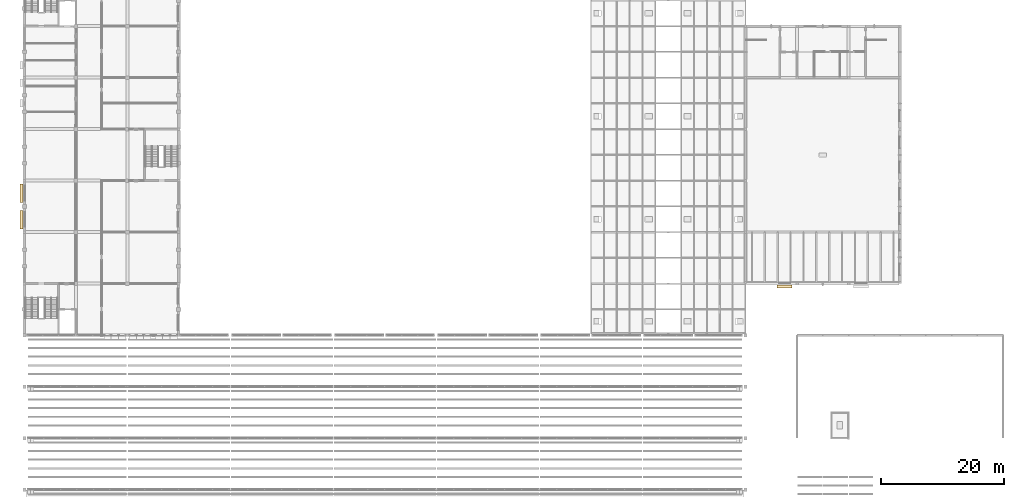
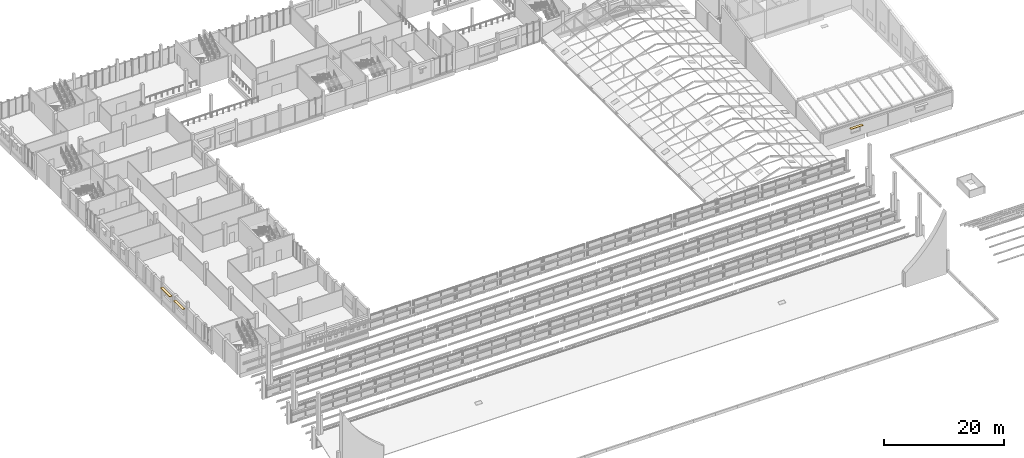
# One storey, part 110 of 116: 3 coverings.
"""IFC4 building model written with IfcOpenShell, lengths in metres."""

from ifc_helpers import new_model, si_unit, direction, frame, origin, origin_2d, place, context, subcontext, project, spatial, rectangle, extrude, material, layer, layer_set, type_object, element, save


model = new_model("IFC4")

# Units and contexts
model_context = context("Model", 3, precision=1e-05, world=origin(), true_north=direction((0.0, 1.0)))
body_context = subcontext(model_context, "Body", "Model", "MODEL_VIEW")
ifc_project = project(units=[si_unit("LENGTHUNIT", "METRE"), si_unit("AREAUNIT", "SQUARE_METRE"), si_unit("VOLUMEUNIT", "CUBIC_METRE"), si_unit("PLANEANGLEUNIT", "RADIAN"), si_unit("MASSUNIT", "GRAM", prefix="KILO")], contexts=[model_context])

# Site, building, storey
site_placement = place(None, origin())
site = spatial("IfcSite", under=ifc_project, at=site_placement, CompositionType="ELEMENT")
building_placement = place(site_placement, origin())
building = spatial("IfcBuilding", under=site, at=building_placement, Name="Fescue Hill Polytechnic", CompositionType="ELEMENT")
storey_placement = place(building_placement, frame((0.0, 0.0, 13.5)))
storey = spatial("IfcBuildingStorey", under=building, at=storey_placement, Name="L03", CompositionType="ELEMENT", Elevation=13.5)

# Coverings
ifc_material = material(Name="Precast concrete C40/50", Category="concrete")
ifc_layer = layer(ifc_material, 0.080078125)
ifc_layer_set = layer_set([ifc_layer], Name="Precast concrete C40/50")
covering_type = type_object("IfcCoveringType", Name="Shade blade precast 500x80", PredefinedType="CLADDING", material=ifc_layer_set)
for number, where, z_axis, x_axis, name in (
    (1, (-0.43994140625, 73.550048828125, 2.75), (0.0, 0.0, 1.0), (0.0, -1.0, 0.0), "SB-L03-V4-4"),
    (2, (-0.43994140625, 69.25, 2.75), (0.0, 0.0, 1.0), (0.0, -1.0, 0.0), "SB-L03-V4-5"),
):
    element("IfcCovering", number, at=place(storey_placement, frame(where, z_axis=z_axis, x_axis=x_axis)), inside=storey, type_object=covering_type, Name=name, PredefinedType="CLADDING", context=body_context, shape_type="SweptSolid", body=[
        extrude(rectangle(XDim=3.0, YDim=0.5, at=origin_2d()), origin(), (0.0, 0.0, 1.0), 0.080078125),
    ])
covering_placement = place(storey_placement, frame((123.969970703125, 58.324951171875, 2.14990234375), z_axis=(0.0, 0.0, 1.0), x_axis=(1.0, 0.0, 0.0)))
element("IfcCovering", 3, at=covering_placement, inside=storey, type_object=covering_type, Name="SB-L03-V2-1", PredefinedType="CLADDING", context=body_context, shape_type="SweptSolid", body=[
    extrude(rectangle(XDim=2.39990234375, YDim=0.5, at=origin_2d()), origin(), (0.0, 0.0, 1.0), 0.080078125),
])

save(model, "model.ifc")
